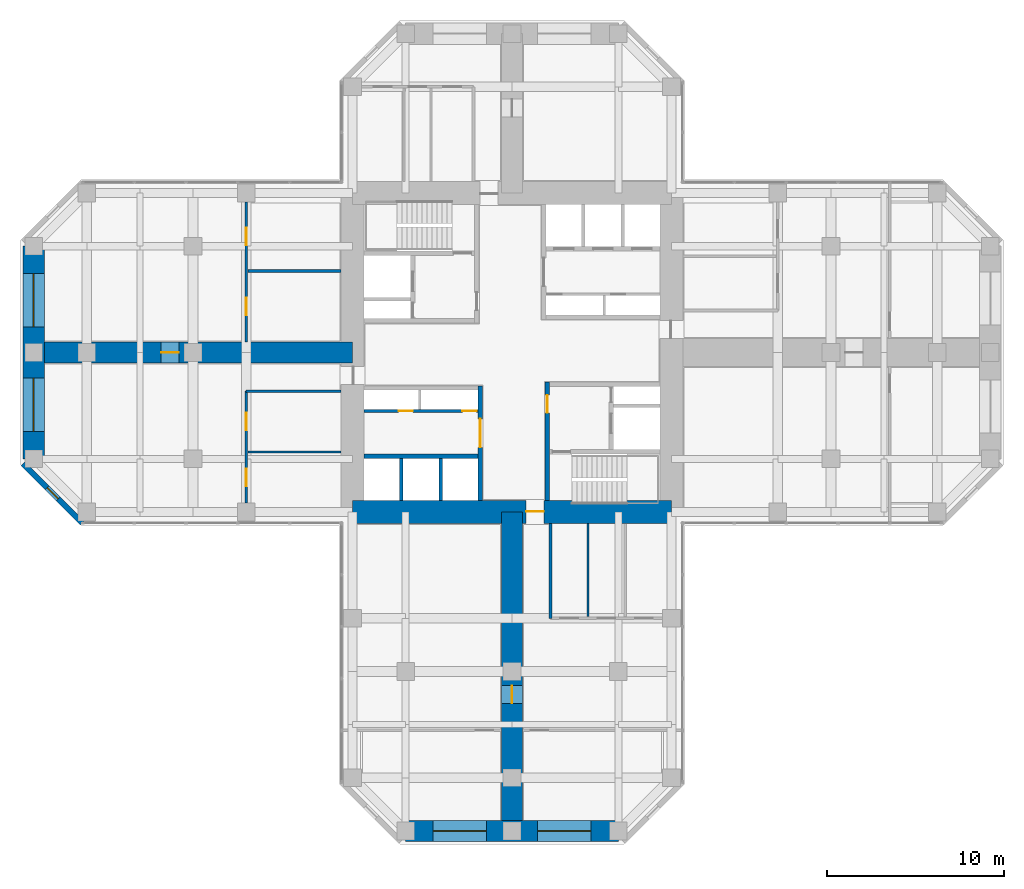
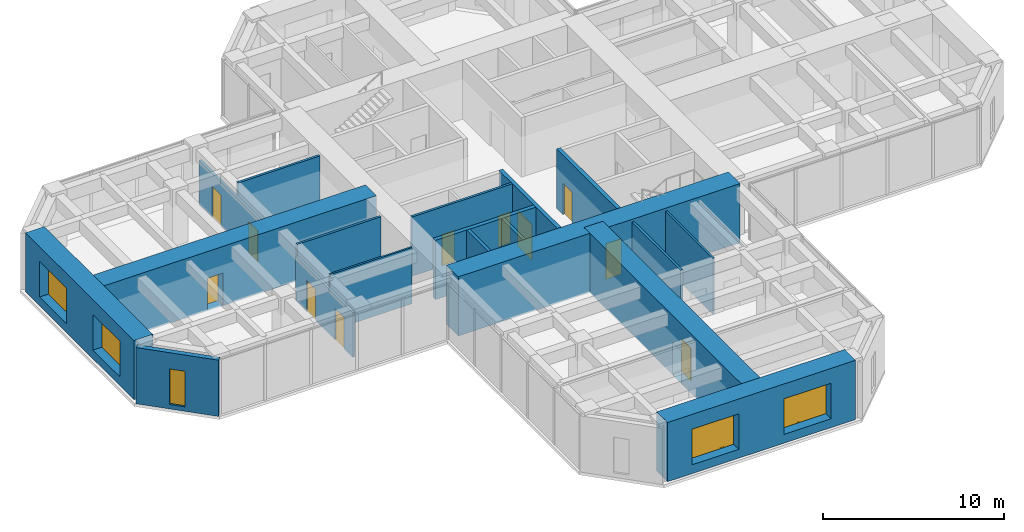
# One storey, part 8 of 12: 19 walls, 11 doors, 5 windows, 16 openings.
"""IFC4 building model written with IfcOpenShell, lengths in metres."""

from ifc_helpers import new_model, si_unit, direction, frame, frame_2d, origin, place, context, subcontext, project, spatial, rectangle, hollow_rectangle, extrude, material, layer, layer_set, constituent, constituent_set, type_object, element, fill, save


model = new_model("IFC4")

# Units and contexts
model_context = context("Model", 3, precision=1e-05, world=origin(), true_north=direction((0.0, 1.0)))
body_context = subcontext(model_context, "Body", "Model", "MODEL_VIEW")
ifc_project = project(units=[si_unit("LENGTHUNIT", "METRE"), si_unit("AREAUNIT", "SQUARE_METRE"), si_unit("VOLUMEUNIT", "CUBIC_METRE"), si_unit("PLANEANGLEUNIT", "RADIAN"), si_unit("MASSUNIT", "GRAM", prefix="KILO")], contexts=[model_context])

# Site, building, storey
site_placement = place(None, origin())
site = spatial("IfcSite", under=ifc_project, at=site_placement, CompositionType="ELEMENT")
building_placement = place(site_placement, origin())
building = spatial("IfcBuilding", under=site, at=building_placement, Name="Torre Cruceta", CompositionType="ELEMENT")
storey_placement = place(building_placement, frame((0.0, 0.0, 144.5)))
storey = spatial("IfcBuildingStorey", under=building, at=storey_placement, Name="L35", CompositionType="ELEMENT", Elevation=144.5)

# Wall, opening, door
ifc_material_1 = material(Name="Concrete G60 (fck 60 MPa)", Category="concrete")
ifc_layer_1 = layer(ifc_material_1, 0.25)
ifc_layer_set_1 = layer_set([ifc_layer_1], Name="Concrete G60 (fck 60 MPa)")
wall_type_1 = type_object("IfcWallType", Name="CORE INNER WALL 250 G60", PredefinedType="SHEAR", material=ifc_layer_set_1)
wall_1_placement = place(storey_placement, frame((-1.800048828125, -1.875, 0.0), z_axis=(0.0, 0.0, 1.0), x_axis=(0.0, -1.0, 0.0)))
wall_1 = element("IfcWall", 1, at=wall_1_placement, inside=storey, type_object=wall_type_1, Name="CW4 L35 SW-CU", PredefinedType="SHEAR", context=body_context, shape_type="SweptSolid", body=[
    extrude(rectangle(XDim=6.47509765625, YDim=0.25, at=frame_2d((3.237548828125, 0.0))), origin(), (0.0, 0.0, 1.0), 4.0),
])
opening_1_placement = place(wall_1_placement, frame((1.875, 0.0, 0.0)))
opening_1 = element("IfcOpeningElement", 2, at=opening_1_placement, cuts=wall_1, Name="Opening D15", PredefinedType="OPENING", context=body_context, shape_type="SweptSolid", body=[
    extrude(rectangle(XDim=1.60009765625, YDim=2.39990234375, at=frame_2d((0.800048828125, 1.199951171875))), frame((0.0, 0.135009765625, 0.0), z_axis=(0.0, -1.0, 0.0), x_axis=(1.0, 0.0, 0.0)), (0.0, 0.0, 1.0), 0.27001953125),
])
ifc_material_2 = material(Name="Steel DX51D", Category="steel")
ifc_constituent_1 = constituent(ifc_material_2, Name="Leaf and frame")
ifc_material_3 = material(Name="Polyester powder coating", Category="paint")
ifc_constituent_2 = constituent(ifc_material_3, Name="Finish")
ifc_constituent_set_1 = constituent_set(constituents=[ifc_constituent_1, ifc_constituent_2], Name="Steel fire door")
door_type_1 = type_object("IfcDoorType", Name="CORE ROOM DOUBLE DOOR 1600X2400", OperationType="DOUBLE_DOOR_SINGLE_SWING", PredefinedType="DOOR", material=ifc_constituent_set_1)
door_1_placement = place(opening_1_placement, frame((1.60009765625, 0.0, 0.0), z_axis=(0.0, 0.0, 1.0), x_axis=(-1.0, 0.0, 0.0)))
door_1 = element("IfcDoor", 3, at=door_1_placement, inside=storey, type_object=door_type_1, Name="D15 L35 SW-LOBBY", OperationType="DOUBLE_DOOR_SINGLE_SWING", OverallHeight=2.39990234375, OverallWidth=1.60009765625, PredefinedType="DOOR", context=body_context, shape_type="SweptSolid", body=[
    extrude(rectangle(XDim=1.60009765625, YDim=2.39990234375, at=frame_2d((0.800048828125, 1.199951171875))), frame((0.0, 0.025146484375, 0.0), z_axis=(0.0, -1.0, 0.0), x_axis=(1.0, 0.0, 0.0)), (0.0, 0.0, 1.0), 0.050048828125),
])
fill(opening_1, door_1)

# Wall
wall_2_placement = place(storey_placement, frame((-1.925048828125, -5.85009765625, 0.0), z_axis=(0.0, 0.0, 1.0), x_axis=(-1.0, 0.0, 0.0)))
element("IfcWall", 4, at=wall_2_placement, inside=storey, type_object=wall_type_1, Name="CW4 L35 SW-LV", PredefinedType="SHEAR", context=body_context, shape_type="SweptSolid", body=[
    extrude(rectangle(XDim=6.425048828125, YDim=0.25, at=frame_2d((3.21240234375, 0.0))), origin(), (0.0, 0.0, 1.0), 4.0),
])

# Wall, opening, door
wall_3_placement = place(storey_placement, frame((2.0, -1.675048828125, 0.0), z_axis=(0.0, 0.0, 1.0), x_axis=(0.0, -1.0, 0.0)))
wall_3 = element("IfcWall", 5, at=wall_3_placement, inside=storey, type_object=wall_type_1, Name="CW4 L35 SE-CU", PredefinedType="SHEAR", context=body_context, shape_type="SweptSolid", body=[
    extrude(rectangle(XDim=6.675048828125, YDim=0.25, at=frame_2d((3.33740234375, 0.0))), origin(), (0.0, 0.0, 1.0), 4.0),
])
opening_2_placement = place(wall_3_placement, frame((0.72509765625, 0.0, 0.0)))
opening_2 = element("IfcOpeningElement", 6, at=opening_2_placement, cuts=wall_3, Name="Opening D3", PredefinedType="OPENING", context=body_context, shape_type="SweptSolid", body=[
    extrude(rectangle(XDim=1.0, YDim=2.10009765625, at=frame_2d((0.5, 1.050048828125))), frame((0.0, 0.135009765625, 0.0), z_axis=(0.0, -1.0, 0.0), x_axis=(1.0, 0.0, 0.0)), (0.0, 0.0, 1.0), 0.27001953125),
])
ifc_material_4 = material(Name="Steel DX51D", Category="steel")
ifc_constituent_3 = constituent(ifc_material_4, Name="Leaf and frame")
ifc_material_5 = material(Name="Polyester powder coating", Category="paint")
ifc_constituent_4 = constituent(ifc_material_5, Name="Finish")
ifc_constituent_set_2 = constituent_set(constituents=[ifc_constituent_3, ifc_constituent_4], Name="Steel fire door")
door_type_2 = type_object("IfcDoorType", Name="FIRE DOOR 1000X2100", OperationType="SINGLE_SWING_LEFT", PredefinedType="DOOR", material=ifc_constituent_set_2)
door_2_placement = place(opening_2_placement, origin())
door_2 = element("IfcDoor", 7, at=door_2_placement, inside=storey, type_object=door_type_2, Name="D3 L35 SE-LOBBY", OperationType="SINGLE_SWING_LEFT", OverallHeight=2.10009765625, OverallWidth=1.0, PredefinedType="DOOR", context=body_context, shape_type="SweptSolid", body=[
    extrude(rectangle(XDim=1.0, YDim=2.10009765625, at=frame_2d((0.5, 1.050048828125))), frame((0.0, 0.02490234375, 0.0), z_axis=(0.0, -1.0, 0.0), x_axis=(1.0, 0.0, 0.0)), (0.0, 0.0, 1.0), 0.050048828125),
])
fill(opening_2, door_2)

ifc_material_6 = material(Name="Concrete G60 (fck 60 MPa)", Category="concrete")
ifc_layer_2 = layer(ifc_material_6, 1.300048828125)
ifc_layer_set_2 = layer_set([ifc_layer_2], Name="Concrete G60 (fck 60 MPa)")
wall_type_2 = type_object("IfcWallType", Name="CORE WALL 1300 G60", PredefinedType="SHEAR", material=ifc_layer_set_2)
wall_4_placement = place(storey_placement, frame((-9.0, -9.0, 0.0), z_axis=(0.0, 0.0, 1.0), x_axis=(1.0, 0.0, 0.0)))
wall_4 = element("IfcWall", 8, at=wall_4_placement, inside=storey, type_object=wall_type_2, Name="CW1 L35 CW-S", PredefinedType="SHEAR", context=body_context, shape_type="SweptSolid", body=[
    extrude(rectangle(XDim=18.0, YDim=1.300048828125, at=frame_2d((9.0, 0.0))), origin(), (0.0, 0.0, 1.0), 4.0),
])
opening_3_placement = place(wall_4_placement, frame((9.800048828125, 0.0, 0.0)))
opening_3 = element("IfcOpeningElement", 9, at=opening_3_placement, cuts=wall_4, Name="Opening D4", PredefinedType="OPENING", context=body_context, shape_type="SweptSolid", body=[
    extrude(rectangle(XDim=1.0, YDim=2.39990234375, at=frame_2d((0.5, 1.199951171875))), frame((0.0, 0.659912109375, 0.0), z_axis=(0.0, -1.0, 0.0), x_axis=(1.0, 0.0, 0.0)), (0.0, 0.0, 1.0), 1.320068359375),
])
ifc_material_7 = material(Name="Steel DX51D", Category="steel")
ifc_constituent_5 = constituent(ifc_material_7, Name="Leaf and frame")
ifc_material_8 = material(Name="Polyester powder coating", Category="paint")
ifc_constituent_6 = constituent(ifc_material_8, Name="Finish")
ifc_constituent_set_3 = constituent_set(constituents=[ifc_constituent_5, ifc_constituent_6], Name="Steel fire door")
door_type_3 = type_object("IfcDoorType", Name="CORE ARM DOOR 1000X2400", OperationType="SINGLE_SWING_RIGHT", PredefinedType="DOOR", material=ifc_constituent_set_3)
door_3_placement = place(opening_3_placement, frame((1.0, 0.0, 0.0), z_axis=(0.0, 0.0, 1.0), x_axis=(-1.0, 0.0, 0.0)))
door_3 = element("IfcDoor", 10, at=door_3_placement, inside=storey, type_object=door_type_3, Name="D4 L35 CW-S", OperationType="SINGLE_SWING_RIGHT", OverallHeight=2.39990234375, OverallWidth=1.0, PredefinedType="DOOR", context=body_context, shape_type="SweptSolid", body=[
    extrude(rectangle(XDim=1.0, YDim=2.39990234375, at=frame_2d((0.5, 1.199951171875))), frame((0.0, -0.005126953125, 0.0), z_axis=(0.0, -1.0, 0.0), x_axis=(1.0, 0.0, 0.0)), (0.0, 0.0, 1.0), 0.050048828125),
])
fill(opening_3, door_3)

# Wall, opening, window
ifc_material_9 = material(Name="Concrete G30 (fck 30 MPa)", Category="concrete")
ifc_layer_3 = layer(ifc_material_9, 0.300048828125)
ifc_layer_set_3 = layer_set([ifc_layer_3], Name="Concrete G30 (fck 30 MPa)")
wall_type_3 = type_object("IfcWallType", Name="EXPOSED CONCRETE FACADE WALL 300", PredefinedType="SOLIDWALL", material=ifc_layer_set_3)
wall_5_placement = place(storey_placement, frame((-27.60009765625, -6.27685546875, 0.0), z_axis=(0.0, 0.0, 1.0), x_axis=(0.707106781187, -0.707106781187, 0.0)))
wall_5 = element("IfcWall", 11, at=wall_5_placement, inside=storey, type_object=wall_type_3, Name="EW1 facade wall L35 W chamfer 13", PredefinedType="SOLIDWALL", context=body_context, shape_type="SweptSolid", body=[
    extrude(rectangle(XDim=4.72802734375, YDim=0.300048828125, at=frame_2d((2.364013671875, 0.0))), origin(), (0.0, 0.0, 1.0), 3.800048828125),
])
opening_4_placement = place(wall_5_placement, frame((1.9140625, 0.0, 0.300048828125)))
opening_4 = element("IfcOpeningElement", 12, at=opening_4_placement, cuts=wall_5, Name="Opening WN5", PredefinedType="OPENING", context=body_context, shape_type="SweptSolid", body=[
    extrude(rectangle(XDim=0.89990234375, YDim=2.39990234375, at=frame_2d((0.449951171875, 1.199951171875))), frame((0.0, 0.159912109375, 0.0), z_axis=(0.0, -1.0, 0.0), x_axis=(1.0, 0.0, 0.0)), (0.0, 0.0, 1.0), 0.320068359375),
])
ifc_material_10 = material(Name="Aluminium window frame", Category="aluminium")
ifc_constituent_7 = constituent(ifc_material_10, Name="Frame")
ifc_material_11 = material(Name="Laminated insulating glass unit, low-iron clear", Category="glass")
ifc_constituent_8 = constituent(ifc_material_11, Name="Glazing")
ifc_constituent_set_4 = constituent_set(constituents=[ifc_constituent_7, ifc_constituent_8], Name="Aluminium window")
window_type_1 = type_object("IfcWindowType", Name="CHAMFER SLOT WINDOW 900X2400", PartitioningType="SINGLE_PANEL", PredefinedType="WINDOW", material=ifc_constituent_set_4)
window_1_placement = place(opening_4_placement, origin())
window_1 = element("IfcWindow", 13, at=window_1_placement, inside=storey, type_object=window_type_1, Name="WN5 L35 W 1", OverallHeight=2.39990234375, OverallWidth=0.89990234375, PartitioningType="SINGLE_PANEL", PredefinedType="WINDOW", context=body_context, shape_type="SweptSolid", body=[
    extrude(hollow_rectangle(XDim=0.89990234375, YDim=2.39990234375, WallThickness=0.06005859375, at=frame_2d((0.449951171875, 1.199951171875))), frame((0.0, 0.030029296875, 0.0), z_axis=(0.0, -1.0, 0.0), x_axis=(1.0, 0.0, 0.0)), (0.0, 0.0, 1.0), 0.06005859375),
    extrude(rectangle(XDim=0.77880859375, YDim=2.27880859375, at=frame_2d((0.449951171875, 1.199951171875))), frame((0.0, 0.030029296875, 0.0), z_axis=(0.0, -1.0, 0.0), x_axis=(1.0, 0.0, 0.0)), (0.0, 0.0, 1.0), 0.06005859375),
])
fill(opening_4, window_1)

# Walls
ifc_material_12 = material(Name="Concrete G35 (fck 35 MPa)", Category="concrete")
ifc_layer_4 = layer(ifc_material_12, 0.199951171875)
ifc_layer_set_4 = layer_set([ifc_layer_4], Name="Concrete G35 (fck 35 MPa)")
wall_type_4 = type_object("IfcWallType", Name="LIFT SHAFT WALL 200", PredefinedType="PARTITIONING", material=ifc_layer_set_4)
for number, where, z_axis, x_axis, name in (
    (14, (-4.033447265625, -5.97509765625, 0.0), (0.0, 0.0, 1.0), (0.0, -1.0, 0.0), "SW1 L35 SW-LS1"),
    (15, (-6.24169921875, -5.97509765625, 0.0), (0.0, 0.0, 1.0), (0.0, -1.0, 0.0), "SW1 L35 SW-LS2"),
):
    element("IfcWall", number, at=place(storey_placement, frame(where, z_axis=z_axis, x_axis=x_axis)), inside=storey, type_object=wall_type_4, Name=name, PredefinedType="PARTITIONING", context=body_context, shape_type="SweptSolid", body=[
        extrude(rectangle(XDim=2.375, YDim=0.199951171875, at=frame_2d((1.1875, 0.0))), origin(), (0.0, 0.0, 1.0), 4.0),
    ])

# Wall, openings, windows
ifc_material_13 = material(Name="Concrete G60 (fck 60 MPa)", Category="concrete")
ifc_layer_5 = layer(ifc_material_13, 1.199951171875)
ifc_layer_set_5 = layer_set([ifc_layer_5], Name="Concrete G60 (fck 60 MPa)")
wall_type_5 = type_object("IfcWallType", Name="NOSE WALL 1200 G60", PredefinedType="SHEAR", material=ifc_layer_set_5)
wall_6_placement = place(storey_placement, frame((-6.0, -27.0, 0.0), z_axis=(0.0, 0.0, 1.0), x_axis=(1.0, 0.0, 0.0)))
wall_6 = element("IfcWall", 16, at=wall_6_placement, inside=storey, type_object=wall_type_5, Name="NW1 nose wall L35 S", PredefinedType="SHEAR", context=body_context, shape_type="SweptSolid", body=[
    extrude(rectangle(XDim=12.0, YDim=1.199951171875, at=frame_2d((6.0, 0.0))), origin(), (0.0, 0.0, 1.0), 4.0),
])
opening_5_placement = place(wall_6_placement, frame((1.550048828125, 0.0, 0.60009765625)))
opening_5 = element("IfcOpeningElement", 17, at=opening_5_placement, cuts=wall_6, Name="Opening WN6", PredefinedType="OPENING", context=body_context, shape_type="SweptSolid", body=[
    extrude(rectangle(XDim=3.0, YDim=2.39990234375, at=frame_2d((1.5, 1.199951171875))), frame((0.0, 0.60986328125, 0.0), z_axis=(0.0, -1.0, 0.0), x_axis=(1.0, 0.0, 0.0)), (0.0, 0.0, 1.0), 1.219970703125),
])
opening_6_placement = place(wall_6_placement, frame((7.449951171875, 0.0, 0.60009765625)))
opening_6 = element("IfcOpeningElement", 18, at=opening_6_placement, cuts=wall_6, Name="Opening WN6", PredefinedType="OPENING", context=body_context, shape_type="SweptSolid", body=[
    extrude(rectangle(XDim=3.0, YDim=2.39990234375, at=frame_2d((1.5, 1.199951171875))), frame((0.0, 0.60986328125, 0.0), z_axis=(0.0, -1.0, 0.0), x_axis=(1.0, 0.0, 0.0)), (0.0, 0.0, 1.0), 1.219970703125),
])
ifc_material_14 = material(Name="Aluminium window frame", Category="aluminium")
ifc_constituent_9 = constituent(ifc_material_14, Name="Frame")
ifc_material_15 = material(Name="Laminated insulating glass unit, low-iron clear", Category="glass")
ifc_constituent_10 = constituent(ifc_material_15, Name="Glazing")
ifc_constituent_set_5 = constituent_set(constituents=[ifc_constituent_9, ifc_constituent_10], Name="Aluminium window")
window_type_2 = type_object("IfcWindowType", Name="NOSE WALL WINDOW 3000X2400", PartitioningType="SINGLE_PANEL", PredefinedType="WINDOW", material=ifc_constituent_set_5)
window_2_placement = place(opening_5_placement, origin())
window_2 = element("IfcWindow", 19, at=window_2_placement, inside=storey, type_object=window_type_2, Name="WN6 L35 S 1", OverallHeight=2.39990234375, OverallWidth=3.0, PartitioningType="SINGLE_PANEL", PredefinedType="WINDOW", context=body_context, shape_type="SweptSolid", body=[
    extrude(hollow_rectangle(XDim=3.0, YDim=2.39990234375, WallThickness=0.06005859375, at=frame_2d((1.5, 1.199951171875))), frame((0.0, 0.030029296875, 0.0), z_axis=(0.0, -1.0, 0.0), x_axis=(1.0, 0.0, 0.0)), (0.0, 0.0, 1.0), 0.06005859375),
    extrude(rectangle(XDim=2.87890625, YDim=2.27880859375, at=frame_2d((1.5, 1.199951171875))), frame((0.0, 0.030029296875, 0.0), z_axis=(0.0, -1.0, 0.0), x_axis=(1.0, 0.0, 0.0)), (0.0, 0.0, 1.0), 0.06005859375),
])
fill(opening_5, window_2)
window_3_placement = place(opening_6_placement, origin())
window_3 = element("IfcWindow", 20, at=window_3_placement, inside=storey, type_object=window_type_2, Name="WN6 L35 S 2", OverallHeight=2.39990234375, OverallWidth=3.0, PartitioningType="SINGLE_PANEL", PredefinedType="WINDOW", context=body_context, shape_type="SweptSolid", body=[
    extrude(hollow_rectangle(XDim=3.0, YDim=2.39990234375, WallThickness=0.06005859375, at=frame_2d((1.5, 1.199951171875))), frame((0.0, 0.030029296875, 0.0), z_axis=(0.0, -1.0, 0.0), x_axis=(1.0, 0.0, 0.0)), (0.0, 0.0, 1.0), 0.06005859375),
    extrude(rectangle(XDim=2.87890625, YDim=2.27880859375, at=frame_2d((1.5, 1.199951171875))), frame((0.0, 0.030029296875, 0.0), z_axis=(0.0, -1.0, 0.0), x_axis=(1.0, 0.0, 0.0)), (0.0, 0.0, 1.0), 0.06005859375),
])
fill(opening_6, window_3)

wall_7_placement = place(storey_placement, frame((-27.0, 6.0, 0.0), z_axis=(0.0, 0.0, 1.0), x_axis=(0.0, -1.0, 0.0)))
wall_7 = element("IfcWall", 21, at=wall_7_placement, inside=storey, type_object=wall_type_5, Name="NW1 nose wall L35 W", PredefinedType="SHEAR", context=body_context, shape_type="SweptSolid", body=[
    extrude(rectangle(XDim=12.0, YDim=1.199951171875, at=frame_2d((6.0, 0.0))), origin(), (0.0, 0.0, 1.0), 4.0),
])
opening_7_placement = place(wall_7_placement, frame((1.550048828125, 0.0, 0.60009765625)))
opening_7 = element("IfcOpeningElement", 22, at=opening_7_placement, cuts=wall_7, Name="Opening WN6", PredefinedType="OPENING", context=body_context, shape_type="SweptSolid", body=[
    extrude(rectangle(XDim=3.0, YDim=2.39990234375, at=frame_2d((1.5, 1.199951171875))), frame((0.0, 0.60986328125, 0.0), z_axis=(0.0, -1.0, 0.0), x_axis=(1.0, 0.0, 0.0)), (0.0, 0.0, 1.0), 1.219970703125),
])
opening_8_placement = place(wall_7_placement, frame((7.449951171875, 0.0, 0.60009765625)))
opening_8 = element("IfcOpeningElement", 23, at=opening_8_placement, cuts=wall_7, Name="Opening WN6", PredefinedType="OPENING", context=body_context, shape_type="SweptSolid", body=[
    extrude(rectangle(XDim=3.0, YDim=2.39990234375, at=frame_2d((1.5, 1.199951171875))), frame((0.0, 0.60986328125, 0.0), z_axis=(0.0, -1.0, 0.0), x_axis=(1.0, 0.0, 0.0)), (0.0, 0.0, 1.0), 1.219970703125),
])
window_4_placement = place(opening_7_placement, origin())
window_4 = element("IfcWindow", 24, at=window_4_placement, inside=storey, type_object=window_type_2, Name="WN6 L35 W 1", OverallHeight=2.39990234375, OverallWidth=3.0, PartitioningType="SINGLE_PANEL", PredefinedType="WINDOW", context=body_context, shape_type="SweptSolid", body=[
    extrude(hollow_rectangle(XDim=3.0, YDim=2.39990234375, WallThickness=0.06005859375, at=frame_2d((1.5, 1.199951171875))), frame((0.0, 0.030029296875, 0.0), z_axis=(0.0, -1.0, 0.0), x_axis=(1.0, 0.0, 0.0)), (0.0, 0.0, 1.0), 0.06005859375),
    extrude(rectangle(XDim=2.87890625, YDim=2.27880859375, at=frame_2d((1.5, 1.199951171875))), frame((0.0, 0.030029296875, 0.0), z_axis=(0.0, -1.0, 0.0), x_axis=(1.0, 0.0, 0.0)), (0.0, 0.0, 1.0), 0.06005859375),
])
fill(opening_7, window_4)
window_5_placement = place(opening_8_placement, origin())
window_5 = element("IfcWindow", 25, at=window_5_placement, inside=storey, type_object=window_type_2, Name="WN6 L35 W 2", OverallHeight=2.39990234375, OverallWidth=3.0, PartitioningType="SINGLE_PANEL", PredefinedType="WINDOW", context=body_context, shape_type="SweptSolid", body=[
    extrude(hollow_rectangle(XDim=3.0, YDim=2.39990234375, WallThickness=0.06005859375, at=frame_2d((1.5, 1.199951171875))), frame((0.0, 0.030029296875, 0.0), z_axis=(0.0, -1.0, 0.0), x_axis=(1.0, 0.0, 0.0)), (0.0, 0.0, 1.0), 0.06005859375),
    extrude(rectangle(XDim=2.87890625, YDim=2.27880859375, at=frame_2d((1.5, 1.199951171875))), frame((0.0, 0.030029296875, 0.0), z_axis=(0.0, -1.0, 0.0), x_axis=(1.0, 0.0, 0.0)), (0.0, 0.0, 1.0), 0.06005859375),
])
fill(opening_8, window_5)

# Wall
ifc_material_16 = material(Name="Plasterboard on steel studs", Category="steel")
ifc_layer_6 = layer(ifc_material_16, 0.14990234375)
ifc_layer_set_6 = layer_set([ifc_layer_6], Name="Plasterboard on steel studs")
wall_type_6 = type_object("IfcWallType", Name="PARTITION 150", PredefinedType="PARTITIONING", material=ifc_layer_set_6)
wall_8_placement = place(storey_placement, frame((2.175048828125, -9.64990234375, 0.0), z_axis=(0.0, 0.0, 1.0), x_axis=(0.0, -1.0, 0.0)))
element("IfcWall", 26, at=wall_8_placement, inside=storey, type_object=wall_type_6, Name="PT1 L35-S-BSL", PredefinedType="PARTITIONING", context=body_context, shape_type="SweptSolid", body=[
    extrude(rectangle(XDim=5.35009765625, YDim=0.14990234375, at=frame_2d((2.675048828125, 0.0))), origin(), (0.0, 0.0, 1.0), 3.800048828125),
])

# Wall, openings, doors
wall_9_placement = place(storey_placement, frame((-15.0, -2.175048828125, 0.0), z_axis=(0.0, 0.0, 1.0), x_axis=(0.0, -1.0, 0.0)))
wall_9 = element("IfcWall", 27, at=wall_9_placement, inside=storey, type_object=wall_type_6, Name="PT1 L35-W-BFL", PredefinedType="PARTITIONING", context=body_context, shape_type="SweptSolid", body=[
    extrude(rectangle(XDim=6.324951171875, YDim=0.14990234375, at=frame_2d((3.16259765625, 0.0))), origin(), (0.0, 0.0, 1.0), 3.0),
])
opening_9_placement = place(wall_9_placement, frame((1.216796875, 0.0, 0.0)))
opening_9 = element("IfcOpeningElement", 28, at=opening_9_placement, cuts=wall_9, Name="Opening D3", PredefinedType="OPENING", context=body_context, shape_type="SweptSolid", body=[
    extrude(rectangle(XDim=1.0, YDim=2.10009765625, at=frame_2d((0.5, 1.050048828125))), frame((0.0, 0.0849609375, 0.0), z_axis=(0.0, -1.0, 0.0), x_axis=(1.0, 0.0, 0.0)), (0.0, 0.0, 1.0), 0.169921875),
])
opening_10_placement = place(wall_9_placement, frame((4.37939453125, 0.0, 0.0)))
opening_10 = element("IfcOpeningElement", 29, at=opening_10_placement, cuts=wall_9, Name="Opening D3", PredefinedType="OPENING", context=body_context, shape_type="SweptSolid", body=[
    extrude(rectangle(XDim=1.0, YDim=2.10009765625, at=frame_2d((0.5, 1.050048828125))), frame((0.0, 0.0849609375, 0.0), z_axis=(0.0, -1.0, 0.0), x_axis=(1.0, 0.0, 0.0)), (0.0, 0.0, 1.0), 0.169921875),
])
door_4_placement = place(opening_9_placement, origin())
door_4 = element("IfcDoor", 30, at=door_4_placement, inside=storey, type_object=door_type_2, Name="D3 L35-W-BFL-D1", OperationType="SINGLE_SWING_LEFT", OverallHeight=2.10009765625, OverallWidth=1.0, PredefinedType="DOOR", context=body_context, shape_type="SweptSolid", body=[
    extrude(rectangle(XDim=1.0, YDim=2.10009765625, at=frame_2d((0.5, 1.050048828125))), frame((0.0, 0.02490234375, 0.0), z_axis=(0.0, -1.0, 0.0), x_axis=(1.0, 0.0, 0.0)), (0.0, 0.0, 1.0), 0.050048828125),
])
fill(opening_9, door_4)
door_5_placement = place(opening_10_placement, origin())
door_5 = element("IfcDoor", 31, at=door_5_placement, inside=storey, type_object=door_type_2, Name="D3 L35-W-BFL-D2", OperationType="SINGLE_SWING_LEFT", OverallHeight=2.10009765625, OverallWidth=1.0, PredefinedType="DOOR", context=body_context, shape_type="SweptSolid", body=[
    extrude(rectangle(XDim=1.0, YDim=2.10009765625, at=frame_2d((0.5, 1.050048828125))), frame((0.0, 0.02490234375, 0.0), z_axis=(0.0, -1.0, 0.0), x_axis=(1.0, 0.0, 0.0)), (0.0, 0.0, 1.0), 0.050048828125),
])
fill(opening_10, door_5)

# Wall
wall_10_placement = place(storey_placement, frame((-9.64990234375, -2.175048828125, 0.0), z_axis=(0.0, 0.0, 1.0), x_axis=(-1.0, 0.0, 0.0)))
element("IfcWall", 32, at=wall_10_placement, inside=storey, type_object=wall_type_6, Name="PT1 L35-W-BSL", PredefinedType="PARTITIONING", context=body_context, shape_type="SweptSolid", body=[
    extrude(rectangle(XDim=5.35009765625, YDim=0.14990234375, at=frame_2d((2.675048828125, 0.0))), origin(), (0.0, 0.0, 1.0), 3.800048828125),
])

# Wall, openings, doors
wall_11_placement = place(storey_placement, frame((-15.0, 8.5, 0.0), z_axis=(0.0, 0.0, 1.0), x_axis=(0.0, -1.0, 0.0)))
wall_11 = element("IfcWall", 33, at=wall_11_placement, inside=storey, type_object=wall_type_6, Name="PT1 L35-W-BFR", PredefinedType="PARTITIONING", context=body_context, shape_type="SweptSolid", body=[
    extrude(rectangle(XDim=7.89990234375, YDim=0.14990234375, at=frame_2d((3.949951171875, 0.0))), origin(), (0.0, 0.0, 1.0), 3.0),
])
opening_11_placement = place(wall_11_placement, frame((1.449951171875, 0.0, 0.0)))
opening_11 = element("IfcOpeningElement", 34, at=opening_11_placement, cuts=wall_11, Name="Opening D3", PredefinedType="OPENING", context=body_context, shape_type="SweptSolid", body=[
    extrude(rectangle(XDim=1.0, YDim=2.10009765625, at=frame_2d((0.5, 1.050048828125))), frame((0.0, 0.0849609375, 0.0), z_axis=(0.0, -1.0, 0.0), x_axis=(1.0, 0.0, 0.0)), (0.0, 0.0, 1.0), 0.169921875),
])
opening_12_placement = place(wall_11_placement, frame((5.39990234375, 0.0, 0.0)))
opening_12 = element("IfcOpeningElement", 35, at=opening_12_placement, cuts=wall_11, Name="Opening D3", PredefinedType="OPENING", context=body_context, shape_type="SweptSolid", body=[
    extrude(rectangle(XDim=1.0, YDim=2.10009765625, at=frame_2d((0.5, 1.050048828125))), frame((0.0, 0.0849609375, 0.0), z_axis=(0.0, -1.0, 0.0), x_axis=(1.0, 0.0, 0.0)), (0.0, 0.0, 1.0), 0.169921875),
])
door_6_placement = place(opening_11_placement, origin())
door_6 = element("IfcDoor", 36, at=door_6_placement, inside=storey, type_object=door_type_2, Name="D3 L35-W-BFR-D1", OperationType="SINGLE_SWING_RIGHT", OverallHeight=2.10009765625, OverallWidth=1.0, PredefinedType="DOOR", context=body_context, shape_type="SweptSolid", body=[
    extrude(rectangle(XDim=1.0, YDim=2.10009765625, at=frame_2d((0.5, 1.050048828125))), frame((0.0, 0.02490234375, 0.0), z_axis=(0.0, -1.0, 0.0), x_axis=(1.0, 0.0, 0.0)), (0.0, 0.0, 1.0), 0.050048828125),
])
fill(opening_11, door_6)
door_7_placement = place(opening_12_placement, origin())
door_7 = element("IfcDoor", 37, at=door_7_placement, inside=storey, type_object=door_type_2, Name="D3 L35-W-BFR-D2", OperationType="SINGLE_SWING_LEFT", OverallHeight=2.10009765625, OverallWidth=1.0, PredefinedType="DOOR", context=body_context, shape_type="SweptSolid", body=[
    extrude(rectangle(XDim=1.0, YDim=2.10009765625, at=frame_2d((0.5, 1.050048828125))), frame((0.0, 0.02490234375, 0.0), z_axis=(0.0, -1.0, 0.0), x_axis=(1.0, 0.0, 0.0)), (0.0, 0.0, 1.0), 0.050048828125),
])
fill(opening_12, door_7)

# Wall
wall_12_placement = place(storey_placement, frame((-9.64990234375, 4.60009765625, 0.0), z_axis=(0.0, 0.0, 1.0), x_axis=(-1.0, 0.0, 0.0)))
element("IfcWall", 38, at=wall_12_placement, inside=storey, type_object=wall_type_6, Name="PT1 L35-W-BDR1", PredefinedType="PARTITIONING", context=body_context, shape_type="SweptSolid", body=[
    extrude(rectangle(XDim=5.25, YDim=0.14990234375, at=frame_2d((2.625, 0.0))), origin(), (0.0, 0.0, 1.0), 3.800048828125),
])

# Wall, openings, doors
ifc_material_17 = material(Name="Concrete block masonry", Category="masonry")
ifc_layer_7 = layer(ifc_material_17, 0.14990234375)
ifc_layer_set_7 = layer_set([ifc_layer_7], Name="Concrete block masonry")
wall_type_7 = type_object("IfcWallType", Name="RISER WALL 150", PredefinedType="PARTITIONING", material=ifc_layer_set_7)
wall_13_placement = place(storey_placement, frame((-1.925048828125, -3.300048828125, 0.0), z_axis=(0.0, 0.0, 1.0), x_axis=(-1.0, 0.0, 0.0)))
wall_13 = element("IfcWall", 39, at=wall_13_placement, inside=storey, type_object=wall_type_7, Name="SW7 L35 SW-RV", PredefinedType="PARTITIONING", context=body_context, shape_type="SweptSolid", body=[
    extrude(rectangle(XDim=6.425048828125, YDim=0.14990234375, at=frame_2d((3.21240234375, 0.0))), origin(), (0.0, 0.0, 1.0), 4.0),
])
opening_13_placement = place(wall_13_placement, frame((0.074951171875, 0.0, 0.0)))
opening_13 = element("IfcOpeningElement", 40, at=opening_13_placement, cuts=wall_13, Name="Opening D5", PredefinedType="OPENING", context=body_context, shape_type="SweptSolid", body=[
    extrude(rectangle(XDim=0.800048828125, YDim=2.10009765625, at=frame_2d((0.39990234375, 1.050048828125))), frame((0.0, 0.0849609375, 0.0), z_axis=(0.0, -1.0, 0.0), x_axis=(1.0, 0.0, 0.0)), (0.0, 0.0, 1.0), 0.169921875),
])
opening_14_placement = place(wall_13_placement, frame((3.675048828125, 0.0, 0.0)))
opening_14 = element("IfcOpeningElement", 41, at=opening_14_placement, cuts=wall_13, Name="Opening D5", PredefinedType="OPENING", context=body_context, shape_type="SweptSolid", body=[
    extrude(rectangle(XDim=0.800048828125, YDim=2.10009765625, at=frame_2d((0.39990234375, 1.050048828125))), frame((0.0, 0.0849609375, 0.0), z_axis=(0.0, -1.0, 0.0), x_axis=(1.0, 0.0, 0.0)), (0.0, 0.0, 1.0), 0.169921875),
])
ifc_material_18 = material(Name="Steel DX51D", Category="steel")
ifc_constituent_11 = constituent(ifc_material_18, Name="Leaf and frame")
ifc_material_19 = material(Name="Polyester powder coating", Category="paint")
ifc_constituent_12 = constituent(ifc_material_19, Name="Finish")
ifc_constituent_set_6 = constituent_set(constituents=[ifc_constituent_11, ifc_constituent_12], Name="Steel fire door")
door_type_4 = type_object("IfcDoorType", Name="RISER ACCESS DOOR 800X2100", OperationType="SINGLE_SWING_LEFT", PredefinedType="DOOR", material=ifc_constituent_set_6)
door_8_placement = place(opening_13_placement, frame((0.800048828125, 0.0, 0.0), z_axis=(0.0, 0.0, 1.0), x_axis=(-1.0, 0.0, 0.0)))
door_8 = element("IfcDoor", 42, at=door_8_placement, inside=storey, type_object=door_type_4, Name="D5 L35 SW-RISER1", OperationType="SINGLE_SWING_RIGHT", OverallHeight=2.10009765625, OverallWidth=0.800048828125, PredefinedType="DOOR", context=body_context, shape_type="SweptSolid", body=[
    extrude(rectangle(XDim=0.800048828125, YDim=2.10009765625, at=frame_2d((0.400146484375, 1.050048828125))), frame((0.0, 0.025146484375, 0.0), z_axis=(0.0, -1.0, 0.0), x_axis=(1.0, 0.0, 0.0)), (0.0, 0.0, 1.0), 0.050048828125),
])
fill(opening_13, door_8)
door_9_placement = place(opening_14_placement, frame((0.800048828125, 0.0, 0.0), z_axis=(0.0, 0.0, 1.0), x_axis=(-1.0, 0.0, 0.0)))
door_9 = element("IfcDoor", 43, at=door_9_placement, inside=storey, type_object=door_type_4, Name="D5 L35 SW-RISER2", OperationType="SINGLE_SWING_RIGHT", OverallHeight=2.10009765625, OverallWidth=0.800048828125, PredefinedType="DOOR", context=body_context, shape_type="SweptSolid", body=[
    extrude(rectangle(XDim=0.800048828125, YDim=2.10009765625, at=frame_2d((0.400146484375, 1.050048828125))), frame((0.0, 0.025146484375, 0.0), z_axis=(0.0, -1.0, 0.0), x_axis=(1.0, 0.0, 0.0)), (0.0, 0.0, 1.0), 0.050048828125),
])
fill(opening_14, door_9)

# Wall, opening, door
ifc_material_20 = material(Name="Concrete G60 (fck 60 MPa)", Category="concrete")
ifc_layer_8 = layer(ifc_material_20, 1.199951171875)
ifc_layer_set_8 = layer_set([ifc_layer_8], Name="Concrete G60 (fck 60 MPa)")
wall_type_8 = type_object("IfcWallType", Name="SPINE WALL 1200 G60", PredefinedType="SHEAR", material=ifc_layer_set_8)
wall_14_placement = place(storey_placement, frame((0.0, -9.0, 0.0), z_axis=(0.0, 0.0, 1.0), x_axis=(0.0, -1.0, 0.0)))
wall_14 = element("IfcWall", 44, at=wall_14_placement, inside=storey, type_object=wall_type_8, Name="SW3 spine wall L35 S", PredefinedType="SHEAR", context=body_context, shape_type="SweptSolid", body=[
    extrude(rectangle(XDim=18.0, YDim=1.199951171875, at=frame_2d((9.0, 0.0))), origin(), (0.0, 0.0, 1.0), 4.0),
])
opening_15_placement = place(wall_14_placement, frame((9.800048828125, 0.0, 0.0)))
opening_15 = element("IfcOpeningElement", 45, at=opening_15_placement, cuts=wall_14, Name="Opening D14", PredefinedType="OPENING", context=body_context, shape_type="SweptSolid", body=[
    extrude(rectangle(XDim=1.0, YDim=2.199951171875, at=frame_2d((0.5, 1.10009765625))), frame((0.0, 0.60986328125, 0.0), z_axis=(0.0, -1.0, 0.0), x_axis=(1.0, 0.0, 0.0)), (0.0, 0.0, 1.0), 1.219970703125),
])
ifc_material_21 = material(Name="Steel DX51D", Category="steel")
ifc_constituent_13 = constituent(ifc_material_21, Name="Leaf and frame")
ifc_material_22 = material(Name="Polyester powder coating", Category="paint")
ifc_constituent_14 = constituent(ifc_material_22, Name="Finish")
ifc_material_23 = material(Name="Fire-resisting glass", Category="glass")
ifc_constituent_15 = constituent(ifc_material_23, Name="Vision panel")
ifc_constituent_set_7 = constituent_set(constituents=[ifc_constituent_13, ifc_constituent_14, ifc_constituent_15], Name="Steel fire door with vision panel")
door_type_5 = type_object("IfcDoorType", Name="FIRE DOOR VISION PANEL 1000X2200", OperationType="SINGLE_SWING_RIGHT", PredefinedType="DOOR", material=ifc_constituent_set_7)
door_10_placement = place(opening_15_placement, origin())
door_10 = element("IfcDoor", 46, at=door_10_placement, inside=storey, type_object=door_type_5, Name="D14 L35-S-SP1", OperationType="SINGLE_SWING_RIGHT", OverallHeight=2.199951171875, OverallWidth=1.0, PredefinedType="DOOR", context=body_context, shape_type="SweptSolid", body=[
    extrude(rectangle(XDim=1.0, YDim=2.199951171875, at=frame_2d((0.5, 1.10009765625))), frame((0.0, 0.02490234375, 0.0), z_axis=(0.0, -1.0, 0.0), x_axis=(1.0, 0.0, 0.0)), (0.0, 0.0, 1.0), 0.050048828125),
])
fill(opening_15, door_10)

wall_15_placement = place(storey_placement, frame((-9.0, 0.0, 0.0), z_axis=(0.0, 0.0, 1.0), x_axis=(-1.0, 0.0, 0.0)))
wall_15 = element("IfcWall", 47, at=wall_15_placement, inside=storey, type_object=wall_type_8, Name="SW3 spine wall L35 W", PredefinedType="SHEAR", context=body_context, shape_type="SweptSolid", body=[
    extrude(rectangle(XDim=18.0, YDim=1.199951171875, at=frame_2d((9.0, 0.0))), origin(), (0.0, 0.0, 1.0), 4.0),
])
opening_16_placement = place(wall_15_placement, frame((9.800048828125, 0.0, 0.0)))
opening_16 = element("IfcOpeningElement", 48, at=opening_16_placement, cuts=wall_15, Name="Opening D14", PredefinedType="OPENING", context=body_context, shape_type="SweptSolid", body=[
    extrude(rectangle(XDim=1.0, YDim=2.199951171875, at=frame_2d((0.5, 1.10009765625))), frame((0.0, 0.60986328125, 0.0), z_axis=(0.0, -1.0, 0.0), x_axis=(1.0, 0.0, 0.0)), (0.0, 0.0, 1.0), 1.219970703125),
])
door_11_placement = place(opening_16_placement, frame((1.0, 0.0, 0.0), z_axis=(0.0, 0.0, 1.0), x_axis=(-1.0, 0.0, 0.0)))
door_11 = element("IfcDoor", 49, at=door_11_placement, inside=storey, type_object=door_type_5, Name="D14 L35-W-SP1", OperationType="SINGLE_SWING_RIGHT", OverallHeight=2.199951171875, OverallWidth=1.0, PredefinedType="DOOR", context=body_context, shape_type="SweptSolid", body=[
    extrude(rectangle(XDim=1.0, YDim=2.199951171875, at=frame_2d((0.5, 1.10009765625))), frame((0.0, 0.025146484375, 0.0), z_axis=(0.0, -1.0, 0.0), x_axis=(1.0, 0.0, 0.0)), (0.0, 0.0, 1.0), 0.050048828125),
])
fill(opening_16, door_11)

# Walls
ifc_material_24 = material(Name="Plasterboard on steel studs", Category="steel")
ifc_layer_9 = layer(ifc_material_24, 0.1201171875)
ifc_layer_set_9 = layer_set([ifc_layer_9], Name="Plasterboard on steel studs")
wall_type_9 = type_object("IfcWallType", Name="WC PARTITION 120", PredefinedType="PLUMBINGWALL", material=ifc_layer_set_9)
for number, where, z_axis, x_axis, name in (
    (50, (4.283447265625, -9.64990234375, 0.0), (0.0, 0.0, 1.0), (0.0, -1.0, 0.0), "PT5 L35-S-BDL1"),
    (51, (-9.64990234375, -5.608642578125, 0.0), (0.0, 0.0, 1.0), (-1.0, 0.0, 0.0), "PT5 L35-W-BDL1"),
):
    element("IfcWall", number, at=place(storey_placement, frame(where, z_axis=z_axis, x_axis=x_axis)), inside=storey, type_object=wall_type_9, Name=name, PredefinedType="PLUMBINGWALL", context=body_context, shape_type="SweptSolid", body=[
        extrude(rectangle(XDim=5.25, YDim=0.1201171875, at=frame_2d((2.625, 0.0))), origin(), (0.0, 0.0, 1.0), 3.800048828125),
    ])

save(model, "model.ifc")
